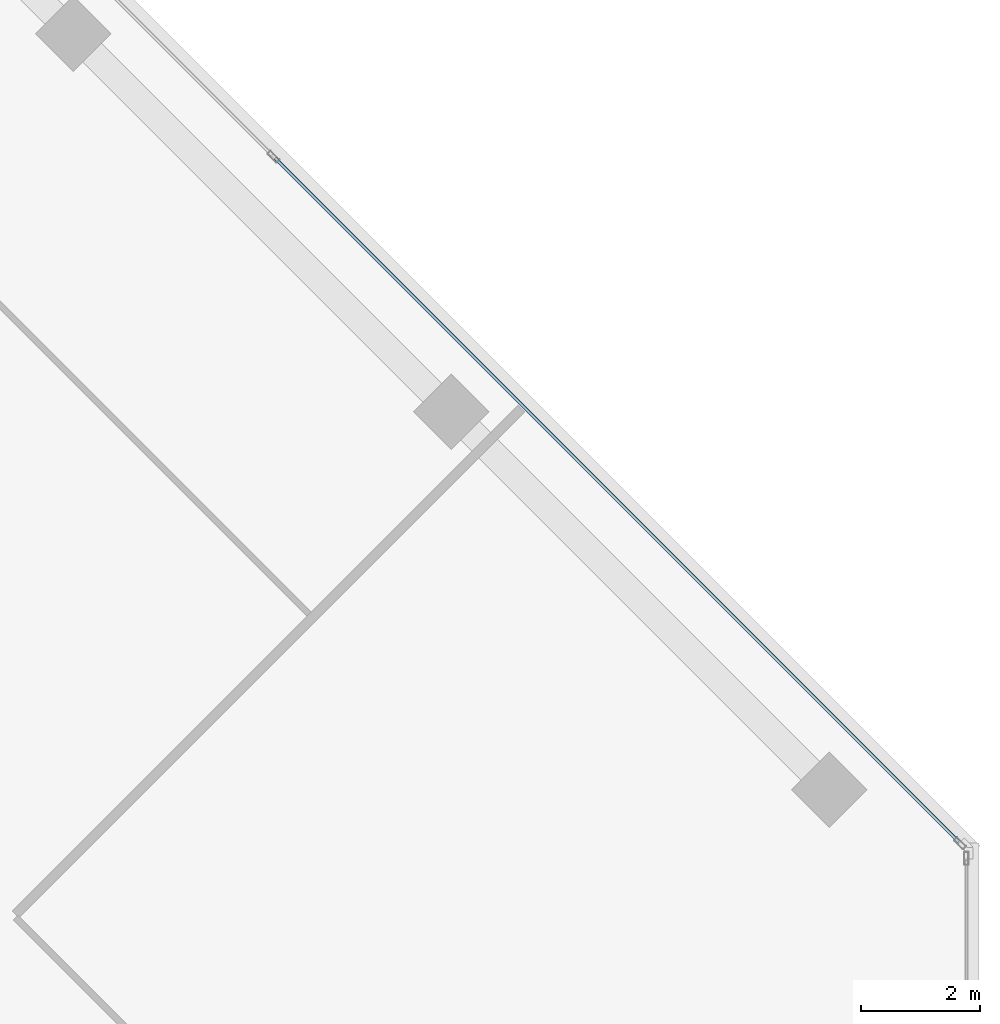
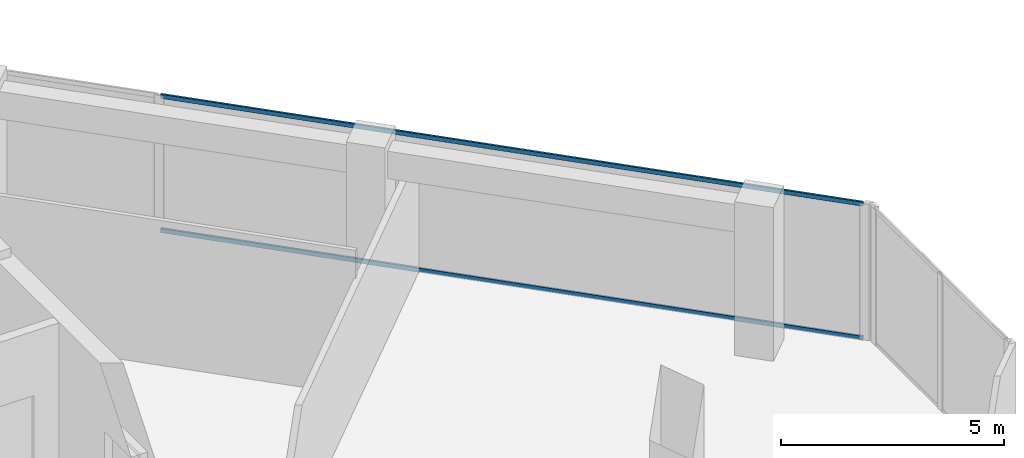
# One storey, part 8 of 18: 2 members, 1 element without a shape of its own.
"""IFC4 building model written with IfcOpenShell, lengths in metres."""

from ifc_helpers import new_model, si_unit, direction, frame, origin, origin_2d, place, context, subcontext, project, spatial, hollow_rectangle, extrude, source, transform, mapped, material, material_profile, profile_set, type_object, element, aggregate, save


model = new_model("IFC4")

# Units and contexts
model_context = context("Model", 3, precision=1e-05, world=origin(), true_north=direction((0.0, 1.0)))
body_context = subcontext(model_context, "Body", "Model", "MODEL_VIEW")
ifc_project = project(units=[si_unit("LENGTHUNIT", "METRE"), si_unit("AREAUNIT", "SQUARE_METRE"), si_unit("VOLUMEUNIT", "CUBIC_METRE"), si_unit("PLANEANGLEUNIT", "RADIAN"), si_unit("MASSUNIT", "GRAM", prefix="KILO")], contexts=[model_context])

# Site, building, storey
site_placement = place(None, origin())
site = spatial("IfcSite", under=ifc_project, at=site_placement, CompositionType="ELEMENT")
building_placement = place(site_placement, origin())
building = spatial("IfcBuilding", under=site, at=building_placement, Name="Torre Montelarca", CompositionType="ELEMENT")
storey_placement = place(building_placement, frame((0.0, 0.0, 245.800048828125)))
storey = spatial("IfcBuildingStorey", under=building, at=storey_placement, Name="L55", CompositionType="ELEMENT", Elevation=245.800048828125)

# Curtain wall, members
ifc_material_1 = material(Name="Insulated low-E laminated glass", Category="glass")
curtain_wall_type = type_object("IfcCurtainWallType", Name="CW-SYS-Z3", PredefinedType="USERDEFINED", material=ifc_material_1)
curtain_wall_placement = place(storey_placement, origin())
curtain_wall = element("IfcCurtainWall", 1, at=curtain_wall_placement, inside=storey, type_object=curtain_wall_type, Name="L55 Curtain Wall Run CW-T3-L55-E08-B1", ObjectType="UNITISED GLAZING", PredefinedType="USERDEFINED")
ifc_material_2 = material(Name="Anodised aluminium AA 6063-T6", Category="aluminium")
ifc_material_profile = material_profile(ifc_material_2, hollow_rectangle(XDim=0.054931640625, YDim=0.1201171875, WallThickness=0.00341796875, InnerFilletRadius=0.00341796875, OuterFilletRadius=0.007080078125, at=origin_2d()), Name="ALU55X120X3.5", Category="aluminium")
ifc_profile_set = profile_set([ifc_material_profile], Name="Anodised aluminium AA 6063-T6")
member_type = type_object("IfcMemberType", Name="CWT-ALU120", PredefinedType="USERDEFINED", material=ifc_profile_set)
shared_shape = source(origin(), body_context, "Body", "SweptSolid", [
    extrude(hollow_rectangle(XDim=0.054931640625, YDim=0.1201171875, WallThickness=0.00341796875, InnerFilletRadius=0.00341796875, OuterFilletRadius=0.007080078125, at=origin_2d()), origin(), (0.0, 0.0, 1.0), 16.271728515625),
])
member_1_placement = place(storey_placement, frame((44.64306640625, 31.58349609375, 0.02734375), z_axis=(-0.707106781187, 0.707106781187, 0.0), x_axis=(-0.707106781187, -0.707106781187, 0.0)))
member_1 = element("IfcMember", 2, at=member_1_placement, type_object=member_type, Name="CW transom 1.1", ObjectType="TRANSOM", PredefinedType="USERDEFINED", context=body_context, shape_type="MappedRepresentation", body=[
    mapped(shared_shape, transform((0.0, 0.0, 0.0), scale=1.0)),
])
member_2_placement = place(storey_placement, frame((44.64306640625, 31.58349609375, 3.6923828125), z_axis=(-0.707106781187, 0.707106781187, 0.0), x_axis=(-0.707106781187, -0.707106781187, 0.0)))
member_2 = element("IfcMember", 3, at=member_2_placement, type_object=member_type, Name="CW transom 1.2", ObjectType="TRANSOM", PredefinedType="USERDEFINED", context=body_context, shape_type="MappedRepresentation", body=[
    mapped(shared_shape, transform((0.0, 0.0, 0.0), scale=1.0)),
])
aggregate(curtain_wall, [member_1, member_2])

save(model, "model.ifc")
